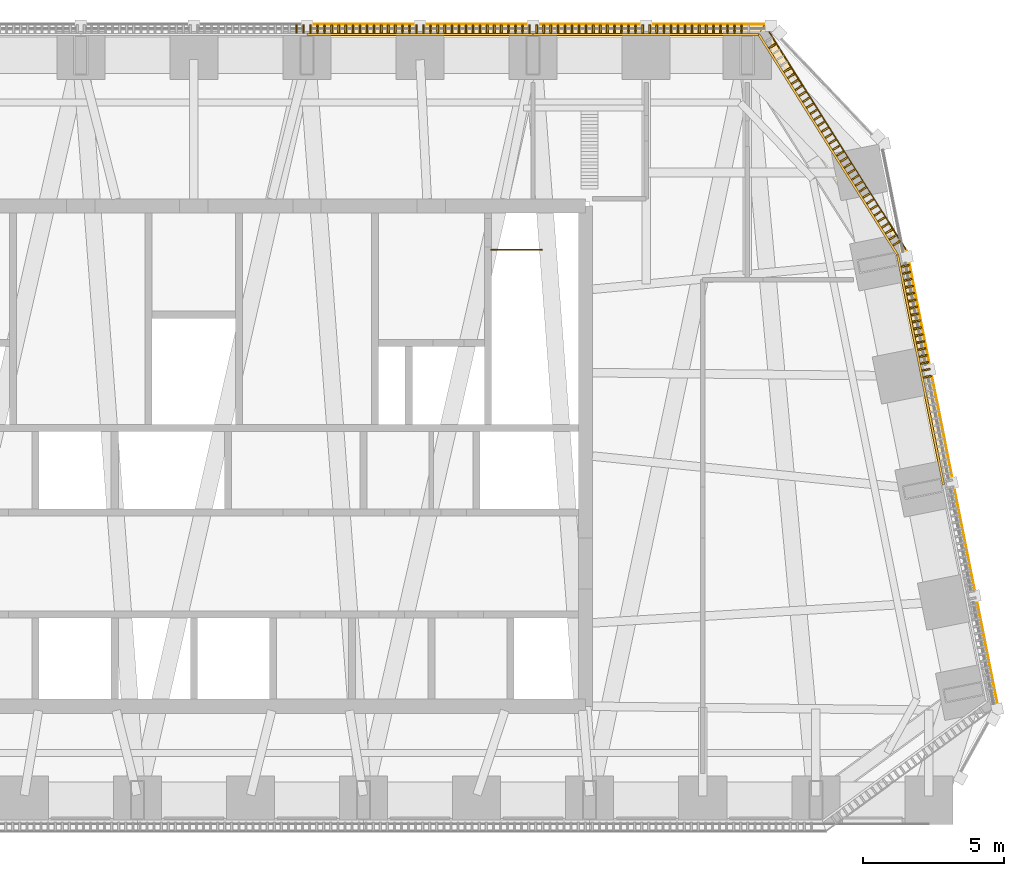
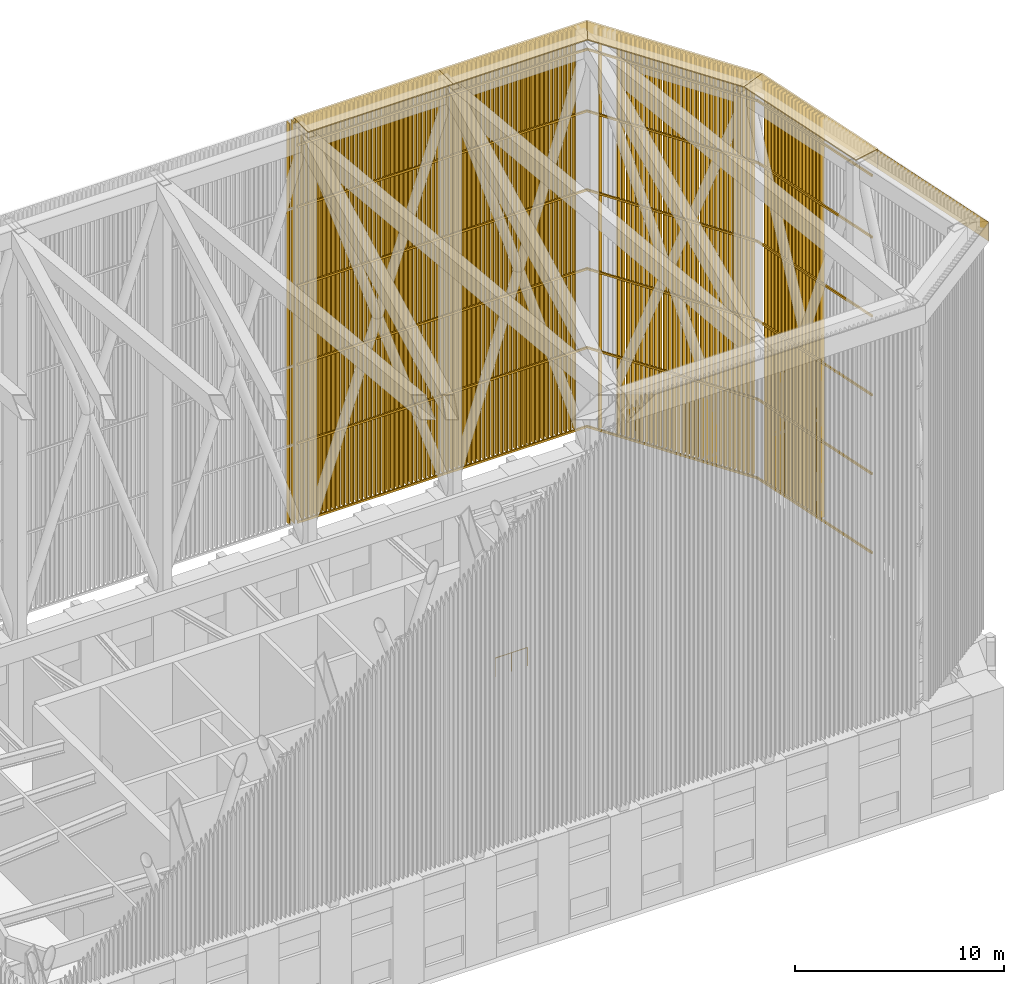
# One storey, part 14 of 15: 136 shading devices, 9 coverings, 1 railing.
"""IFC4 building model written with IfcOpenShell, lengths in metres."""

from ifc_helpers import new_model, si_unit, direction, frame, origin, origin_2d, place, context, subcontext, project, spatial, polyline, rectangle, circle, outline, extrude, material, layer, layer_set, material_profile, profile_set, type_object, element, save


model = new_model("IFC4")

# Units and contexts
model_context = context("Model", 3, precision=1e-05, world=origin(), true_north=direction((0.0, 1.0)))
body_context = subcontext(model_context, "Body", "Model", "MODEL_VIEW")
ifc_project = project(units=[si_unit("LENGTHUNIT", "METRE"), si_unit("AREAUNIT", "SQUARE_METRE"), si_unit("VOLUMEUNIT", "CUBIC_METRE"), si_unit("PLANEANGLEUNIT", "RADIAN"), si_unit("MASSUNIT", "GRAM", prefix="KILO")], contexts=[model_context])

# Site, building, storey
site_placement = place(None, origin())
site = spatial("IfcSite", under=ifc_project, at=site_placement, CompositionType="ELEMENT")
building_placement = place(site_placement, origin())
building = spatial("IfcBuilding", under=site, at=building_placement, Name="Isbrekke Arena Tower", CompositionType="ELEMENT")
storey_placement = place(building_placement, frame((0.0, 0.0, 324.0)))
storey = spatial("IfcBuildingStorey", under=building, at=storey_placement, Name="L76", CompositionType="ELEMENT", Elevation=324.0)

# Shading devices
ifc_material_1 = material(Name="Pre-patinated copper on aluminium core", Category="aluminium")
ifc_material_profile = material_profile(ifc_material_1, rectangle(XDim=0.06005859375, YDim=0.300048828125, at=origin_2d()), Name="FIN 60X300")
ifc_profile_set = profile_set([ifc_material_profile], Name="Pre-patinated copper on aluminium core")
shading_device_type_1 = type_object("IfcShadingDeviceType", Name="CR1 CROWN FIN 60 x 300", PredefinedType="USERDEFINED", material=ifc_profile_set)
for number, where, z_axis, x_axis, name in (
    (1, (25.94580078125, 17.805908203125, 6.60009765625), (0.0, 0.0, 1.0), (-0.196116127026, 0.980580677313, 0.0), "CR1 crown fin C46"),
    (2, (25.89697265625, 18.051025390625, 6.60009765625), (0.0, 0.0, 1.0), (-0.196116127026, 0.980580677313, 0.0), "CR1 crown fin C47"),
    (3, (25.847900390625, 18.296142578125, 6.60009765625), (0.0, 0.0, 1.0), (-0.196116127026, 0.980580677313, 0.0), "CR1 crown fin C48"),
    (4, (25.798828125, 18.541259765625, 6.60009765625), (0.0, 0.0, 1.0), (-0.196116127026, 0.980580677313, 0.0), "CR1 crown fin C49"),
    (5, (25.749755859375, 18.786376953125, 6.60009765625), (0.0, 0.0, 1.0), (-0.196116127026, 0.980580677313, 0.0), "CR1 crown fin C50"),
    (6, (25.70068359375, 19.031494140625, 6.60009765625), (0.0, 0.0, 1.0), (-0.196116127026, 0.980580677313, 0.0), "CR1 crown fin C51"),
    (7, (25.65185546875, 19.276611328125, 6.60009765625), (0.0, 0.0, 1.0), (-0.196116127026, 0.980580677313, 0.0), "CR1 crown fin C52"),
    (8, (25.602783203125, 19.521728515625, 6.60009765625), (0.0, 0.0, 1.0), (-0.196116127026, 0.980580677313, 0.0), "CR1 crown fin C53"),
    (9, (25.5537109375, 19.766845703125, 6.60009765625), (0.0, 0.0, 1.0), (-0.196116127026, 0.980580677313, 0.0), "CR1 crown fin C54"),
    (10, (25.504638671875, 20.01220703125, 6.60009765625), (0.0, 0.0, 1.0), (-0.196116127026, 0.980580677313, 0.0), "CR1 crown fin C55"),
    (11, (25.45556640625, 20.25732421875, 6.60009765625), (0.0, 0.0, 1.0), (-0.196116127026, 0.980580677313, 0.0), "CR1 crown fin C56"),
    (12, (25.406494140625, 20.50244140625, 6.60009765625), (0.0, 0.0, 1.0), (-0.196116127026, 0.980580677313, 0.0), "CR1 crown fin C57"),
    (13, (25.357666015625, 20.74755859375, 6.60009765625), (0.0, 0.0, 1.0), (-0.196116127026, 0.980580677313, 0.0), "CR1 crown fin C58"),
    (14, (25.30859375, 20.99267578125, 6.60009765625), (0.0, 0.0, 1.0), (-0.196116127026, 0.980580677313, 0.0), "CR1 crown fin C59"),
    (15, (25.259521484375, 21.23779296875, 6.60009765625), (0.0, 0.0, 1.0), (-0.196116127026, 0.980580677313, 0.0), "CR1 crown fin C60"),
    (16, (25.21044921875, 21.48291015625, 6.60009765625), (0.0, 0.0, 1.0), (-0.196116127026, 0.980580677313, 0.0), "CR1 crown fin C61"),
    (17, (25.161376953125, 21.72802734375, 6.60009765625), (0.0, 0.0, 1.0), (-0.196116127026, 0.980580677313, 0.0), "CR1 crown fin C62"),
    (18, (24.85693359375, 22.526123046875, 6.60009765625), (0.0, 0.0, 1.0), (-0.532528793806, 0.846411887775, 0.0), "CR1 crown fin D1"),
    (19, (24.723876953125, 22.73779296875, 6.60009765625), (0.0, 0.0, 1.0), (-0.532528793806, 0.846411887775, 0.0), "CR1 crown fin D2"),
    (20, (24.590576171875, 22.94921875, 6.60009765625), (0.0, 0.0, 1.0), (-0.532528793806, 0.846411887775, 0.0), "CR1 crown fin D3"),
    (21, (24.45751953125, 23.160888671875, 6.60009765625), (0.0, 0.0, 1.0), (-0.532528793806, 0.846411887775, 0.0), "CR1 crown fin D4"),
    (22, (24.324462890625, 23.37255859375, 6.60009765625), (0.0, 0.0, 1.0), (-0.532528793806, 0.846411887775, 0.0), "CR1 crown fin D5"),
    (23, (24.19140625, 23.584228515625, 6.60009765625), (0.0, 0.0, 1.0), (-0.532528793806, 0.846411887775, 0.0), "CR1 crown fin D6"),
    (24, (24.05810546875, 23.795654296875, 6.60009765625), (0.0, 0.0, 1.0), (-0.532528793806, 0.846411887775, 0.0), "CR1 crown fin D7"),
    (25, (23.925048828125, 24.00732421875, 6.60009765625), (0.0, 0.0, 1.0), (-0.532528793806, 0.846411887775, 0.0), "CR1 crown fin D8"),
    (26, (23.7919921875, 24.218994140625, 6.60009765625), (0.0, 0.0, 1.0), (-0.532528793806, 0.846411887775, 0.0), "CR1 crown fin D9"),
    (27, (23.65869140625, 24.4306640625, 6.60009765625), (0.0, 0.0, 1.0), (-0.532528793806, 0.846411887775, 0.0), "CR1 crown fin D10"),
    (28, (23.525634765625, 24.64208984375, 6.60009765625), (0.0, 0.0, 1.0), (-0.532528793806, 0.846411887775, 0.0), "CR1 crown fin D11"),
    (29, (23.392578125, 24.853759765625, 6.60009765625), (0.0, 0.0, 1.0), (-0.532528793806, 0.846411887775, 0.0), "CR1 crown fin D12"),
    (30, (23.25927734375, 25.0654296875, 6.60009765625), (0.0, 0.0, 1.0), (-0.532528793806, 0.846411887775, 0.0), "CR1 crown fin D13"),
    (31, (23.126220703125, 25.27685546875, 6.60009765625), (0.0, 0.0, 1.0), (-0.532528793806, 0.846411887775, 0.0), "CR1 crown fin D14"),
    (32, (22.9931640625, 25.488525390625, 6.60009765625), (0.0, 0.0, 1.0), (-0.532528793806, 0.846411887775, 0.0), "CR1 crown fin D15"),
    (33, (22.85986328125, 25.7001953125, 6.60009765625), (0.0, 0.0, 1.0), (-0.532528793806, 0.846411887775, 0.0), "CR1 crown fin D16"),
    (34, (22.726806640625, 25.911865234375, 6.60009765625), (0.0, 0.0, 1.0), (-0.532528793806, 0.846411887775, 0.0), "CR1 crown fin D17"),
    (35, (22.59375, 26.123291015625, 6.60009765625), (0.0, 0.0, 1.0), (-0.532528793806, 0.846411887775, 0.0), "CR1 crown fin D18"),
    (36, (22.460693359375, 26.3349609375, 6.60009765625), (0.0, 0.0, 1.0), (-0.532528793806, 0.846411887775, 0.0), "CR1 crown fin D19"),
    (37, (22.327392578125, 26.546630859375, 6.60009765625), (0.0, 0.0, 1.0), (-0.532528793806, 0.846411887775, 0.0), "CR1 crown fin D20"),
    (38, (22.1943359375, 26.75830078125, 6.60009765625), (0.0, 0.0, 1.0), (-0.532528793806, 0.846411887775, 0.0), "CR1 crown fin D21"),
    (39, (22.061279296875, 26.9697265625, 6.60009765625), (0.0, 0.0, 1.0), (-0.532528793806, 0.846411887775, 0.0), "CR1 crown fin D22"),
    (40, (21.927978515625, 27.181396484375, 6.60009765625), (0.0, 0.0, 1.0), (-0.532528793806, 0.846411887775, 0.0), "CR1 crown fin D23"),
    (41, (21.794921875, 27.39306640625, 6.60009765625), (0.0, 0.0, 1.0), (-0.532528793806, 0.846411887775, 0.0), "CR1 crown fin D24"),
    (42, (21.661865234375, 27.6044921875, 6.60009765625), (0.0, 0.0, 1.0), (-0.532528793806, 0.846411887775, 0.0), "CR1 crown fin D25"),
    (43, (21.528564453125, 27.816162109375, 6.60009765625), (0.0, 0.0, 1.0), (-0.532528793806, 0.846411887775, 0.0), "CR1 crown fin D26"),
    (44, (21.3955078125, 28.02783203125, 6.60009765625), (0.0, 0.0, 1.0), (-0.532528793806, 0.846411887775, 0.0), "CR1 crown fin D27"),
    (45, (21.262451171875, 28.239501953125, 6.60009765625), (0.0, 0.0, 1.0), (-0.532528793806, 0.846411887775, 0.0), "CR1 crown fin D28"),
    (46, (21.129150390625, 28.450927734375, 6.60009765625), (0.0, 0.0, 1.0), (-0.532528793806, 0.846411887775, 0.0), "CR1 crown fin D29"),
    (47, (20.99609375, 28.66259765625, 6.60009765625), (0.0, 0.0, 1.0), (-0.532528793806, 0.846411887775, 0.0), "CR1 crown fin D30"),
    (48, (20.463623046875, 29.509033203125, 6.60009765625), (0.0, 0.0, 1.0), (-0.532528793806, 0.846411887775, 0.0), "CR1 crown fin D34"),
    (49, (19.375, 30.10498046875, 6.60009765625), (0.0, 0.0, 1.0), (-1.0, 0.0, 0.0), "CR1 crown fin E2"),
    (50, (19.125, 30.10498046875, 6.60009765625), (0.0, 0.0, 1.0), (-1.0, 0.0, 0.0), "CR1 crown fin E3"),
    (51, (18.875, 30.10498046875, 6.60009765625), (0.0, 0.0, 1.0), (-1.0, 0.0, 0.0), "CR1 crown fin E4"),
    (52, (18.625, 30.10498046875, 6.60009765625), (0.0, 0.0, 1.0), (-1.0, 0.0, 0.0), "CR1 crown fin E5"),
    (53, (18.375, 30.10498046875, 6.60009765625), (0.0, 0.0, 1.0), (-1.0, 0.0, 0.0), "CR1 crown fin E6"),
    (54, (18.125, 30.10498046875, 6.60009765625), (0.0, 0.0, 1.0), (-1.0, 0.0, 0.0), "CR1 crown fin E7"),
    (55, (17.875, 30.10498046875, 6.60009765625), (0.0, 0.0, 1.0), (-1.0, 0.0, 0.0), "CR1 crown fin E8"),
    (56, (17.625, 30.10498046875, 6.60009765625), (0.0, 0.0, 1.0), (-1.0, 0.0, 0.0), "CR1 crown fin E9"),
    (57, (17.375, 30.10498046875, 6.60009765625), (0.0, 0.0, 1.0), (-1.0, 0.0, 0.0), "CR1 crown fin E10"),
    (58, (17.125, 30.10498046875, 6.60009765625), (0.0, 0.0, 1.0), (-1.0, 0.0, 0.0), "CR1 crown fin E11"),
    (59, (16.875, 30.10498046875, 6.60009765625), (0.0, 0.0, 1.0), (-1.0, 0.0, 0.0), "CR1 crown fin E12"),
    (60, (16.625, 30.10498046875, 6.60009765625), (0.0, 0.0, 1.0), (-1.0, 0.0, 0.0), "CR1 crown fin E13"),
    (61, (16.375, 30.10498046875, 6.60009765625), (0.0, 0.0, 1.0), (-1.0, 0.0, 0.0), "CR1 crown fin E14"),
    (62, (16.125, 30.10498046875, 6.60009765625), (0.0, 0.0, 1.0), (-1.0, 0.0, 0.0), "CR1 crown fin E15"),
    (63, (15.875, 30.10498046875, 6.60009765625), (0.0, 0.0, 1.0), (-1.0, 0.0, 0.0), "CR1 crown fin E16"),
    (64, (15.625, 30.10498046875, 6.60009765625), (0.0, 0.0, 1.0), (-1.0, 0.0, 0.0), "CR1 crown fin E17"),
    (65, (15.375, 30.10498046875, 6.60009765625), (0.0, 0.0, 1.0), (-1.0, 0.0, 0.0), "CR1 crown fin E18"),
    (66, (15.125, 30.10498046875, 6.60009765625), (0.0, 0.0, 1.0), (-1.0, 0.0, 0.0), "CR1 crown fin E19"),
    (67, (14.875, 30.10498046875, 6.60009765625), (0.0, 0.0, 1.0), (-1.0, 0.0, 0.0), "CR1 crown fin E20"),
    (68, (14.625, 30.10498046875, 6.60009765625), (0.0, 0.0, 1.0), (-1.0, 0.0, 0.0), "CR1 crown fin E21"),
    (69, (14.375, 30.10498046875, 6.60009765625), (0.0, 0.0, 1.0), (-1.0, 0.0, 0.0), "CR1 crown fin E22"),
    (70, (14.125, 30.10498046875, 6.60009765625), (0.0, 0.0, 1.0), (-1.0, 0.0, 0.0), "CR1 crown fin E23"),
    (71, (13.875, 30.10498046875, 6.60009765625), (0.0, 0.0, 1.0), (-1.0, 0.0, 0.0), "CR1 crown fin E24"),
    (72, (13.625, 30.10498046875, 6.60009765625), (0.0, 0.0, 1.0), (-1.0, 0.0, 0.0), "CR1 crown fin E25"),
    (73, (13.375, 30.10498046875, 6.60009765625), (0.0, 0.0, 1.0), (-1.0, 0.0, 0.0), "CR1 crown fin E26"),
    (74, (13.125, 30.10498046875, 6.60009765625), (0.0, 0.0, 1.0), (-1.0, 0.0, 0.0), "CR1 crown fin E27"),
    (75, (12.875, 30.10498046875, 6.60009765625), (0.0, 0.0, 1.0), (-1.0, 0.0, 0.0), "CR1 crown fin E28"),
    (76, (12.625, 30.10498046875, 6.60009765625), (0.0, 0.0, 1.0), (-1.0, 0.0, 0.0), "CR1 crown fin E29"),
    (77, (12.375, 30.10498046875, 6.60009765625), (0.0, 0.0, 1.0), (-1.0, 0.0, 0.0), "CR1 crown fin E30"),
    (78, (12.125, 30.10498046875, 6.60009765625), (0.0, 0.0, 1.0), (-1.0, 0.0, 0.0), "CR1 crown fin E31"),
    (79, (11.875, 30.10498046875, 6.60009765625), (0.0, 0.0, 1.0), (-1.0, 0.0, 0.0), "CR1 crown fin E32"),
    (80, (11.625, 30.10498046875, 6.60009765625), (0.0, 0.0, 1.0), (-1.0, 0.0, 0.0), "CR1 crown fin E33"),
    (81, (11.375, 30.10498046875, 6.60009765625), (0.0, 0.0, 1.0), (-1.0, 0.0, 0.0), "CR1 crown fin E34"),
    (82, (11.125, 30.10498046875, 6.60009765625), (0.0, 0.0, 1.0), (-1.0, 0.0, 0.0), "CR1 crown fin E35"),
    (83, (10.875, 30.10498046875, 6.60009765625), (0.0, 0.0, 1.0), (-1.0, 0.0, 0.0), "CR1 crown fin E36"),
    (84, (10.625, 30.10498046875, 6.60009765625), (0.0, 0.0, 1.0), (-1.0, 0.0, 0.0), "CR1 crown fin E37"),
    (85, (10.375, 30.10498046875, 6.60009765625), (0.0, 0.0, 1.0), (-1.0, 0.0, 0.0), "CR1 crown fin E38"),
    (86, (10.125, 30.10498046875, 6.60009765625), (0.0, 0.0, 1.0), (-1.0, 0.0, 0.0), "CR1 crown fin E39"),
    (87, (9.875, 30.10498046875, 6.60009765625), (0.0, 0.0, 1.0), (-1.0, 0.0, 0.0), "CR1 crown fin E40"),
    (88, (9.625, 30.10498046875, 6.60009765625), (0.0, 0.0, 1.0), (-1.0, 0.0, 0.0), "CR1 crown fin E41"),
    (89, (9.375, 30.10498046875, 6.60009765625), (0.0, 0.0, 1.0), (-1.0, 0.0, 0.0), "CR1 crown fin E42"),
    (90, (9.125, 30.10498046875, 6.60009765625), (0.0, 0.0, 1.0), (-1.0, 0.0, 0.0), "CR1 crown fin E43"),
    (91, (8.875, 30.10498046875, 6.60009765625), (0.0, 0.0, 1.0), (-1.0, 0.0, 0.0), "CR1 crown fin E44"),
    (92, (8.625, 30.10498046875, 6.60009765625), (0.0, 0.0, 1.0), (-1.0, 0.0, 0.0), "CR1 crown fin E45"),
    (93, (8.375, 30.10498046875, 6.60009765625), (0.0, 0.0, 1.0), (-1.0, 0.0, 0.0), "CR1 crown fin E46"),
    (94, (8.125, 30.10498046875, 6.60009765625), (0.0, 0.0, 1.0), (-1.0, 0.0, 0.0), "CR1 crown fin E47"),
    (95, (7.875, 30.10498046875, 6.60009765625), (0.0, 0.0, 1.0), (-1.0, 0.0, 0.0), "CR1 crown fin E48"),
    (96, (7.625, 30.10498046875, 6.60009765625), (0.0, 0.0, 1.0), (-1.0, 0.0, 0.0), "CR1 crown fin E49"),
    (97, (7.375, 30.10498046875, 6.60009765625), (0.0, 0.0, 1.0), (-1.0, 0.0, 0.0), "CR1 crown fin E50"),
    (98, (7.125, 30.10498046875, 6.60009765625), (0.0, 0.0, 1.0), (-1.0, 0.0, 0.0), "CR1 crown fin E51"),
    (99, (6.875, 30.10498046875, 6.60009765625), (0.0, 0.0, 1.0), (-1.0, 0.0, 0.0), "CR1 crown fin E52"),
    (100, (6.625, 30.10498046875, 6.60009765625), (0.0, 0.0, 1.0), (-1.0, 0.0, 0.0), "CR1 crown fin E53"),
    (101, (6.375, 30.10498046875, 6.60009765625), (0.0, 0.0, 1.0), (-1.0, 0.0, 0.0), "CR1 crown fin E54"),
    (102, (6.125, 30.10498046875, 6.60009765625), (0.0, 0.0, 1.0), (-1.0, 0.0, 0.0), "CR1 crown fin E55"),
    (103, (5.875, 30.10498046875, 6.60009765625), (0.0, 0.0, 1.0), (-1.0, 0.0, 0.0), "CR1 crown fin E56"),
    (104, (5.625, 30.10498046875, 6.60009765625), (0.0, 0.0, 1.0), (-1.0, 0.0, 0.0), "CR1 crown fin E57"),
    (105, (5.375, 30.10498046875, 6.60009765625), (0.0, 0.0, 1.0), (-1.0, 0.0, 0.0), "CR1 crown fin E58"),
    (106, (5.125, 30.10498046875, 6.60009765625), (0.0, 0.0, 1.0), (-1.0, 0.0, 0.0), "CR1 crown fin E59"),
    (107, (4.875, 30.10498046875, 6.60009765625), (0.0, 0.0, 1.0), (-1.0, 0.0, 0.0), "CR1 crown fin E60"),
    (108, (4.625, 30.10498046875, 6.60009765625), (0.0, 0.0, 1.0), (-1.0, 0.0, 0.0), "CR1 crown fin E61"),
    (109, (4.375, 30.10498046875, 6.60009765625), (0.0, 0.0, 1.0), (-1.0, 0.0, 0.0), "CR1 crown fin E62"),
    (110, (4.125, 30.10498046875, 6.60009765625), (0.0, 0.0, 1.0), (-1.0, 0.0, 0.0), "CR1 crown fin E63"),
    (111, (3.875, 30.10498046875, 6.60009765625), (0.0, 0.0, 1.0), (-1.0, 0.0, 0.0), "CR1 crown fin E64"),
    (112, (3.625, 30.10498046875, 6.60009765625), (0.0, 0.0, 1.0), (-1.0, 0.0, 0.0), "CR1 crown fin E65"),
):
    element("IfcShadingDevice", number, at=place(storey_placement, frame(where, z_axis=z_axis, x_axis=x_axis)), inside=storey, type_object=shading_device_type_1, Name=name, ObjectType="CROWN FIN", PredefinedType="USERDEFINED", context=body_context, shape_type="SweptSolid", body=[
        extrude(rectangle(XDim=0.06005859375, YDim=0.300048828125, at=origin_2d()), origin(), (0.0, 0.0, 1.0), 23.39990234375),
    ])
ifc_material_2 = material(Name="Galvanised steel RHS 120 x 80 x 5", Category="steel")
shading_device_type_2 = type_object("IfcShadingDeviceType", Name="CR2 CROWN SCREEN RAIL RHS 120 x 80", PredefinedType="USERDEFINED", material=ifc_material_2)
shading_device_1_placement = place(storey_placement, frame((0.0, 0.0, 6.60009765625)))
element("IfcShadingDevice", 113, at=shading_device_1_placement, inside=storey, type_object=shading_device_type_2, Name="CR2 crown screen rail 1 bay C2", ObjectType="CROWN SCREEN RAIL", PredefinedType="USERDEFINED", context=body_context, shape_type="SweptSolid", body=[
    extrude(outline(polyline([(26.4775390625, 13.9755859375), (24.85205078125, 22.101806640625), (24.927734375, 22.132080078125), (26.555908203125, 13.9912109375), (26.4775390625, 13.9755859375)])), origin(), (0.0, 0.0, 1.0), 0.119873046875),
])
shading_device_2_placement = place(storey_placement, frame((0.0, 0.0, 11.199951171875)))
element("IfcShadingDevice", 114, at=shading_device_2_placement, inside=storey, type_object=shading_device_type_2, Name="CR2 crown screen rail 2 bay C2", ObjectType="CROWN SCREEN RAIL", PredefinedType="USERDEFINED", context=body_context, shape_type="SweptSolid", body=[
    extrude(outline(polyline([(26.4775390625, 13.9755859375), (24.85205078125, 22.101806640625), (24.927734375, 22.132080078125), (26.555908203125, 13.9912109375), (26.4775390625, 13.9755859375)])), origin(), (0.0, 0.0, 1.0), 0.1201171875),
])
shading_device_3_placement = place(storey_placement, frame((0.0, 0.0, 15.800048828125)))
element("IfcShadingDevice", 115, at=shading_device_3_placement, inside=storey, type_object=shading_device_type_2, Name="CR2 crown screen rail 3 bay C2", ObjectType="CROWN SCREEN RAIL", PredefinedType="USERDEFINED", context=body_context, shape_type="SweptSolid", body=[
    extrude(outline(polyline([(26.4775390625, 13.9755859375), (24.85205078125, 22.101806640625), (24.927734375, 22.132080078125), (26.555908203125, 13.9912109375), (26.4775390625, 13.9755859375)])), origin(), (0.0, 0.0, 1.0), 0.119873046875),
])
for number, where, name in (
    (116, (0.0, 0.0, 20.39990234375), "CR2 crown screen rail 4 bay C2"),
    (117, (0.0, 0.0, 25.0), "CR2 crown screen rail 5 bay C2"),
):
    element("IfcShadingDevice", number, at=place(storey_placement, frame(where)), inside=storey, type_object=shading_device_type_2, Name=name, ObjectType="CROWN SCREEN RAIL", PredefinedType="USERDEFINED", context=body_context, shape_type="SweptSolid", body=[
        extrude(outline(polyline([(26.4775390625, 13.9755859375), (24.85205078125, 22.101806640625), (24.927734375, 22.132080078125), (26.555908203125, 13.9912109375), (26.4775390625, 13.9755859375)])), origin(), (0.0, 0.0, 1.0), 0.1201171875),
    ])
shading_device_4_placement = place(storey_placement, frame((0.0, 0.0, 28.60009765625)))
element("IfcShadingDevice", 118, at=shading_device_4_placement, inside=storey, type_object=shading_device_type_2, Name="CR2 crown screen rail 6 bay C2", ObjectType="CROWN SCREEN RAIL", PredefinedType="USERDEFINED", context=body_context, shape_type="SweptSolid", body=[
    extrude(outline(polyline([(26.4775390625, 13.9755859375), (24.85205078125, 22.101806640625), (24.927734375, 22.132080078125), (26.555908203125, 13.9912109375), (26.4775390625, 13.9755859375)])), origin(), (0.0, 0.0, 1.0), 0.119873046875),
])
shading_device_5_placement = place(storey_placement, frame((0.0, 0.0, 6.60009765625)))
element("IfcShadingDevice", 119, at=shading_device_5_placement, inside=storey, type_object=shading_device_type_2, Name="CR2 crown screen rail 1 bay D1", ObjectType="CROWN SCREEN RAIL", PredefinedType="USERDEFINED", context=body_context, shape_type="SweptSolid", body=[
    extrude(outline(polyline([(24.85205078125, 22.101806640625), (19.961669921875, 29.875), (20.005859375, 29.955078125), (24.927734375, 22.132080078125), (24.85205078125, 22.101806640625)])), origin(), (0.0, 0.0, 1.0), 0.119873046875),
])
shading_device_6_placement = place(storey_placement, frame((0.0, 0.0, 11.199951171875)))
element("IfcShadingDevice", 120, at=shading_device_6_placement, inside=storey, type_object=shading_device_type_2, Name="CR2 crown screen rail 2 bay D1", ObjectType="CROWN SCREEN RAIL", PredefinedType="USERDEFINED", context=body_context, shape_type="SweptSolid", body=[
    extrude(outline(polyline([(24.85205078125, 22.101806640625), (19.961669921875, 29.875), (20.005859375, 29.955078125), (24.927734375, 22.132080078125), (24.85205078125, 22.101806640625)])), origin(), (0.0, 0.0, 1.0), 0.1201171875),
])
shading_device_7_placement = place(storey_placement, frame((0.0, 0.0, 15.800048828125)))
element("IfcShadingDevice", 121, at=shading_device_7_placement, inside=storey, type_object=shading_device_type_2, Name="CR2 crown screen rail 3 bay D1", ObjectType="CROWN SCREEN RAIL", PredefinedType="USERDEFINED", context=body_context, shape_type="SweptSolid", body=[
    extrude(outline(polyline([(24.85205078125, 22.101806640625), (19.961669921875, 29.875), (20.005859375, 29.955078125), (24.927734375, 22.132080078125), (24.85205078125, 22.101806640625)])), origin(), (0.0, 0.0, 1.0), 0.119873046875),
])
for number, where, name in (
    (122, (0.0, 0.0, 20.39990234375), "CR2 crown screen rail 4 bay D1"),
    (123, (0.0, 0.0, 25.0), "CR2 crown screen rail 5 bay D1"),
):
    element("IfcShadingDevice", number, at=place(storey_placement, frame(where)), inside=storey, type_object=shading_device_type_2, Name=name, ObjectType="CROWN SCREEN RAIL", PredefinedType="USERDEFINED", context=body_context, shape_type="SweptSolid", body=[
        extrude(outline(polyline([(24.85205078125, 22.101806640625), (19.961669921875, 29.875), (20.005859375, 29.955078125), (24.927734375, 22.132080078125), (24.85205078125, 22.101806640625)])), origin(), (0.0, 0.0, 1.0), 0.1201171875),
    ])
shading_device_8_placement = place(storey_placement, frame((0.0, 0.0, 28.60009765625)))
element("IfcShadingDevice", 124, at=shading_device_8_placement, inside=storey, type_object=shading_device_type_2, Name="CR2 crown screen rail 6 bay D1", ObjectType="CROWN SCREEN RAIL", PredefinedType="USERDEFINED", context=body_context, shape_type="SweptSolid", body=[
    extrude(outline(polyline([(24.85205078125, 22.101806640625), (19.961669921875, 29.875), (20.005859375, 29.955078125), (24.927734375, 22.132080078125), (24.85205078125, 22.101806640625)])), origin(), (0.0, 0.0, 1.0), 0.119873046875),
])
shading_device_9_placement = place(storey_placement, frame((0.0, 0.0, 6.60009765625)))
element("IfcShadingDevice", 125, at=shading_device_9_placement, inside=storey, type_object=shading_device_type_2, Name="CR2 crown screen rail 1 bay E1", ObjectType="CROWN SCREEN RAIL", PredefinedType="USERDEFINED", context=body_context, shape_type="SweptSolid", body=[
    extrude(outline(polyline([(19.961669921875, 29.875), (12.0, 29.875), (12.0, 29.955078125), (20.005859375, 29.955078125), (19.961669921875, 29.875)])), origin(), (0.0, 0.0, 1.0), 0.119873046875),
])
shading_device_10_placement = place(storey_placement, frame((0.0, 0.0, 11.199951171875)))
element("IfcShadingDevice", 126, at=shading_device_10_placement, inside=storey, type_object=shading_device_type_2, Name="CR2 crown screen rail 2 bay E1", ObjectType="CROWN SCREEN RAIL", PredefinedType="USERDEFINED", context=body_context, shape_type="SweptSolid", body=[
    extrude(outline(polyline([(19.961669921875, 29.875), (12.0, 29.875), (12.0, 29.955078125), (20.005859375, 29.955078125), (19.961669921875, 29.875)])), origin(), (0.0, 0.0, 1.0), 0.1201171875),
])
shading_device_11_placement = place(storey_placement, frame((0.0, 0.0, 15.800048828125)))
element("IfcShadingDevice", 127, at=shading_device_11_placement, inside=storey, type_object=shading_device_type_2, Name="CR2 crown screen rail 3 bay E1", ObjectType="CROWN SCREEN RAIL", PredefinedType="USERDEFINED", context=body_context, shape_type="SweptSolid", body=[
    extrude(outline(polyline([(19.961669921875, 29.875), (12.0, 29.875), (12.0, 29.955078125), (20.005859375, 29.955078125), (19.961669921875, 29.875)])), origin(), (0.0, 0.0, 1.0), 0.119873046875),
])
for number, where, name in (
    (128, (0.0, 0.0, 20.39990234375), "CR2 crown screen rail 4 bay E1"),
    (129, (0.0, 0.0, 25.0), "CR2 crown screen rail 5 bay E1"),
):
    element("IfcShadingDevice", number, at=place(storey_placement, frame(where)), inside=storey, type_object=shading_device_type_2, Name=name, ObjectType="CROWN SCREEN RAIL", PredefinedType="USERDEFINED", context=body_context, shape_type="SweptSolid", body=[
        extrude(outline(polyline([(19.961669921875, 29.875), (12.0, 29.875), (12.0, 29.955078125), (20.005859375, 29.955078125), (19.961669921875, 29.875)])), origin(), (0.0, 0.0, 1.0), 0.1201171875),
    ])
shading_device_12_placement = place(storey_placement, frame((0.0, 0.0, 28.60009765625)))
element("IfcShadingDevice", 130, at=shading_device_12_placement, inside=storey, type_object=shading_device_type_2, Name="CR2 crown screen rail 6 bay E1", ObjectType="CROWN SCREEN RAIL", PredefinedType="USERDEFINED", context=body_context, shape_type="SweptSolid", body=[
    extrude(outline(polyline([(19.961669921875, 29.875), (12.0, 29.875), (12.0, 29.955078125), (20.005859375, 29.955078125), (19.961669921875, 29.875)])), origin(), (0.0, 0.0, 1.0), 0.119873046875),
])
shading_device_13_placement = place(storey_placement, frame((0.0, 0.0, 6.60009765625)))
element("IfcShadingDevice", 131, at=shading_device_13_placement, inside=storey, type_object=shading_device_type_2, Name="CR2 crown screen rail 1 bay E2", ObjectType="CROWN SCREEN RAIL", PredefinedType="USERDEFINED", context=body_context, shape_type="SweptSolid", body=[
    extrude(outline(polyline([(12.0, 29.875), (4.0, 29.875), (4.0, 29.955078125), (12.0, 29.955078125), (12.0, 29.875)])), origin(), (0.0, 0.0, 1.0), 0.119873046875),
])
shading_device_14_placement = place(storey_placement, frame((0.0, 0.0, 11.199951171875)))
element("IfcShadingDevice", 132, at=shading_device_14_placement, inside=storey, type_object=shading_device_type_2, Name="CR2 crown screen rail 2 bay E2", ObjectType="CROWN SCREEN RAIL", PredefinedType="USERDEFINED", context=body_context, shape_type="SweptSolid", body=[
    extrude(outline(polyline([(12.0, 29.875), (4.0, 29.875), (4.0, 29.955078125), (12.0, 29.955078125), (12.0, 29.875)])), origin(), (0.0, 0.0, 1.0), 0.1201171875),
])
shading_device_15_placement = place(storey_placement, frame((0.0, 0.0, 15.800048828125)))
element("IfcShadingDevice", 133, at=shading_device_15_placement, inside=storey, type_object=shading_device_type_2, Name="CR2 crown screen rail 3 bay E2", ObjectType="CROWN SCREEN RAIL", PredefinedType="USERDEFINED", context=body_context, shape_type="SweptSolid", body=[
    extrude(outline(polyline([(12.0, 29.875), (4.0, 29.875), (4.0, 29.955078125), (12.0, 29.955078125), (12.0, 29.875)])), origin(), (0.0, 0.0, 1.0), 0.119873046875),
])
for number, where, name in (
    (134, (0.0, 0.0, 20.39990234375), "CR2 crown screen rail 4 bay E2"),
    (135, (0.0, 0.0, 25.0), "CR2 crown screen rail 5 bay E2"),
):
    element("IfcShadingDevice", number, at=place(storey_placement, frame(where)), inside=storey, type_object=shading_device_type_2, Name=name, ObjectType="CROWN SCREEN RAIL", PredefinedType="USERDEFINED", context=body_context, shape_type="SweptSolid", body=[
        extrude(outline(polyline([(12.0, 29.875), (4.0, 29.875), (4.0, 29.955078125), (12.0, 29.955078125), (12.0, 29.875)])), origin(), (0.0, 0.0, 1.0), 0.1201171875),
    ])
shading_device_16_placement = place(storey_placement, frame((0.0, 0.0, 28.60009765625)))
element("IfcShadingDevice", 136, at=shading_device_16_placement, inside=storey, type_object=shading_device_type_2, Name="CR2 crown screen rail 6 bay E2", ObjectType="CROWN SCREEN RAIL", PredefinedType="USERDEFINED", context=body_context, shape_type="SweptSolid", body=[
    extrude(outline(polyline([(12.0, 29.875), (4.0, 29.875), (4.0, 29.955078125), (12.0, 29.955078125), (12.0, 29.875)])), origin(), (0.0, 0.0, 1.0), 0.119873046875),
])

# Coverings
ifc_material_3 = material(Name="Pre-patinated copper sheet on plywood deck", Category="wood")
ifc_layer_1 = layer(ifc_material_3, 0.06005859375)
ifc_layer_set_1 = layer_set([ifc_layer_1], Name="CR3 CROWN CAP COPING")
covering_type_1 = type_object("IfcCoveringType", Name="CR3 CROWN CAP COPING", PredefinedType="CLADDING", material=ifc_layer_set_1)
covering_1_placement = place(storey_placement, frame((0.0, 0.0, 30.0)))
element("IfcCovering", 137, at=covering_1_placement, inside=storey, type_object=covering_type_1, Name="CR3 crown cap coping bay C2", PredefinedType="CLADDING", context=body_context, shape_type="SweptSolid", body=[
    extrude(outline(polyline([(25.496826171875, 13.779296875), (23.90771484375, 21.72509765625), (25.239501953125, 22.25634765625), (26.87939453125, 14.055908203125), (25.496826171875, 13.779296875)])), origin(), (0.0, 0.0, 1.0), 0.06005859375),
])
covering_2_placement = place(storey_placement, frame((0.0, 0.0, 30.0)))
element("IfcCovering", 138, at=covering_2_placement, inside=storey, type_object=covering_type_1, Name="CR3 crown cap coping bay D1", PredefinedType="CLADDING", context=body_context, shape_type="SweptSolid", body=[
    extrude(outline(polyline([(23.90771484375, 21.72509765625), (19.409423828125, 28.875), (20.18798828125, 30.284912109375), (25.239501953125, 22.25634765625), (23.90771484375, 21.72509765625)])), origin(), (0.0, 0.0, 1.0), 0.06005859375),
])
covering_3_placement = place(storey_placement, frame((0.0, 0.0, 30.0)))
element("IfcCovering", 139, at=covering_3_placement, inside=storey, type_object=covering_type_1, Name="CR3 crown cap coping bay E1", PredefinedType="CLADDING", context=body_context, shape_type="SweptSolid", body=[
    extrude(outline(polyline([(19.409423828125, 28.875), (12.0, 28.875), (12.0, 30.284912109375), (20.18798828125, 30.284912109375), (19.409423828125, 28.875)])), origin(), (0.0, 0.0, 1.0), 0.06005859375),
])
covering_4_placement = place(storey_placement, frame((0.0, 0.0, 30.0)))
element("IfcCovering", 140, at=covering_4_placement, inside=storey, type_object=covering_type_1, Name="CR3 crown cap coping bay E2", PredefinedType="CLADDING", context=body_context, shape_type="SweptSolid", body=[
    extrude(outline(polyline([(12.0, 28.875), (4.0, 28.875), (4.0, 30.284912109375), (12.0, 30.284912109375), (12.0, 28.875)])), origin(), (0.0, 0.0, 1.0), 0.06005859375),
])
ifc_material_4 = material(Name="Pre-patinated copper sheet", Category="metal")
ifc_layer_2 = layer(ifc_material_4, 0.030029296875)
ifc_layer_set_2 = layer_set([ifc_layer_2], Name="CR4 CROWN CAP FASCIA")
covering_type_2 = type_object("IfcCoveringType", Name="CR4 CROWN CAP FASCIA", PredefinedType="CLADDING", material=ifc_layer_set_2)
covering_5_placement = place(storey_placement, frame((0.0, 0.0, 28.89990234375)))
element("IfcCovering", 141, at=covering_5_placement, inside=storey, type_object=covering_type_2, Name="CR4 crown cap fascia bay C1", PredefinedType="CLADDING", context=body_context, shape_type="SweptSolid", body=[
    extrude(outline(polyline([(28.423583984375, 6.182373046875), (26.85009765625, 14.050048828125), (26.87939453125, 14.055908203125), (28.456787109375, 6.16943359375), (28.423583984375, 6.182373046875)])), origin(), (0.0, 0.0, 1.0), 1.10009765625),
])
covering_6_placement = place(storey_placement, frame((0.0, 0.0, 28.89990234375)))
element("IfcCovering", 142, at=covering_6_placement, inside=storey, type_object=covering_type_2, Name="CR4 crown cap fascia bay C2", PredefinedType="CLADDING", context=body_context, shape_type="SweptSolid", body=[
    extrude(outline(polyline([(26.85009765625, 14.050048828125), (25.2109375, 22.2451171875), (25.239501953125, 22.25634765625), (26.87939453125, 14.055908203125), (26.85009765625, 14.050048828125)])), origin(), (0.0, 0.0, 1.0), 1.10009765625),
])
covering_7_placement = place(storey_placement, frame((0.0, 0.0, 28.89990234375)))
element("IfcCovering", 143, at=covering_7_placement, inside=storey, type_object=covering_type_2, Name="CR4 crown cap fascia bay D1", PredefinedType="CLADDING", context=body_context, shape_type="SweptSolid", body=[
    extrude(outline(polyline([(25.2109375, 22.2451171875), (20.17138671875, 30.2548828125), (20.18798828125, 30.284912109375), (25.239501953125, 22.25634765625), (25.2109375, 22.2451171875)])), origin(), (0.0, 0.0, 1.0), 1.10009765625),
])
covering_8_placement = place(storey_placement, frame((0.0, 0.0, 28.89990234375)))
element("IfcCovering", 144, at=covering_8_placement, inside=storey, type_object=covering_type_2, Name="CR4 crown cap fascia bay E1", PredefinedType="CLADDING", context=body_context, shape_type="SweptSolid", body=[
    extrude(outline(polyline([(20.17138671875, 30.2548828125), (12.0, 30.2548828125), (12.0, 30.284912109375), (20.18798828125, 30.284912109375), (20.17138671875, 30.2548828125)])), origin(), (0.0, 0.0, 1.0), 1.10009765625),
])
covering_9_placement = place(storey_placement, frame((0.0, 0.0, 28.89990234375)))
element("IfcCovering", 145, at=covering_9_placement, inside=storey, type_object=covering_type_2, Name="CR4 crown cap fascia bay E2", PredefinedType="CLADDING", context=body_context, shape_type="SweptSolid", body=[
    extrude(outline(polyline([(12.0, 30.2548828125), (4.0, 30.2548828125), (4.0, 30.284912109375), (12.0, 30.284912109375), (12.0, 30.2548828125)])), origin(), (0.0, 0.0, 1.0), 1.10009765625),
])

# Railing
ifc_material_5 = material(Name="Steel stair guard, vertical bars, steel handrail", Category="steel")
railing_type = type_object("IfcRailingType", Name="GR3 STAIR WELL GUARD 1100", PredefinedType="GUARDRAIL", material=ifc_material_5)
railing_placement = place(storey_placement, frame((10.52490234375, 22.300048828125, 0.0)))
element("IfcRailing", 146, at=railing_placement, inside=storey, type_object=railing_type, Name="GR3 stair well guard ST2 L76", PredefinedType="GUARDRAIL", context=body_context, shape_type="SweptSolid", body=[
    extrude(circle(Radius=0.02392578125, at=origin_2d()), frame((0.0, 0.0, 1.076171875), z_axis=(1.0, 0.0, 0.0), x_axis=(0.0, 1.0, 0.0)), (0.0, 0.0, 1.0), 1.775146484375),
    extrude(circle(Radius=0.02099609375, at=origin_2d()), origin(), (0.0, 0.0, 1.0), 1.052001953125),
    extrude(circle(Radius=0.02099609375, at=origin_2d()), frame((0.8876953125, 0.0, 0.0)), (0.0, 0.0, 1.0), 1.052001953125),
    extrude(circle(Radius=0.02099609375, at=origin_2d()), frame((1.775146484375, 0.0, 0.0)), (0.0, 0.0, 1.0), 1.052001953125),
])

save(model, "model.ifc")
